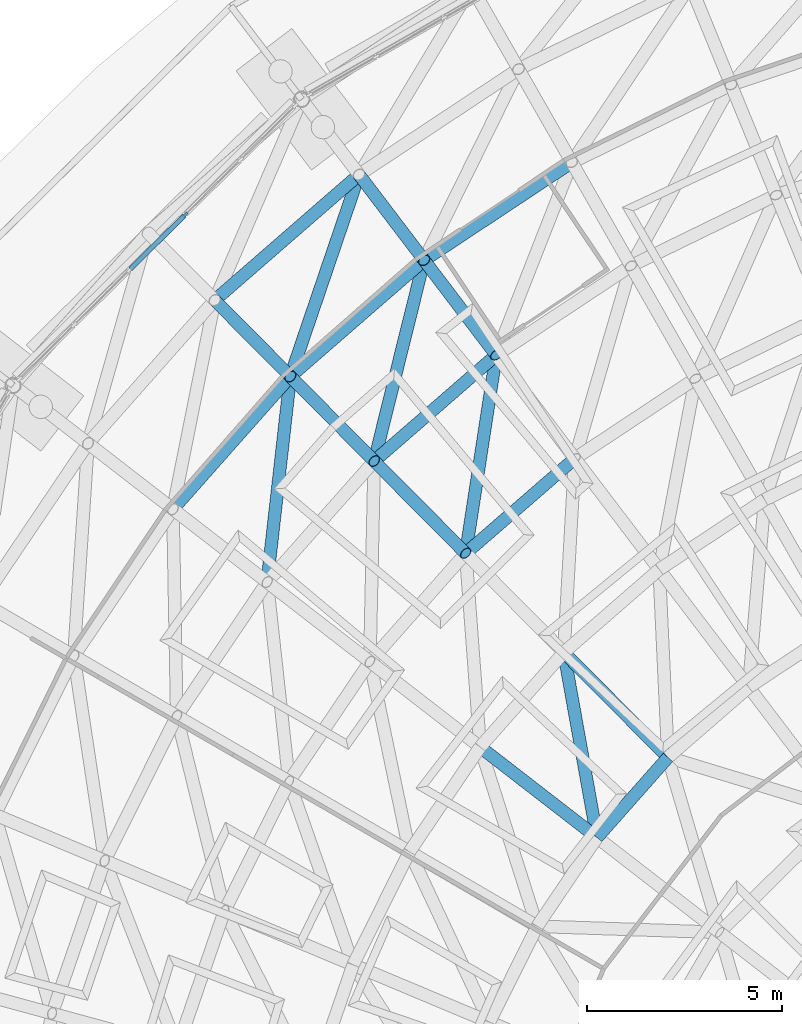
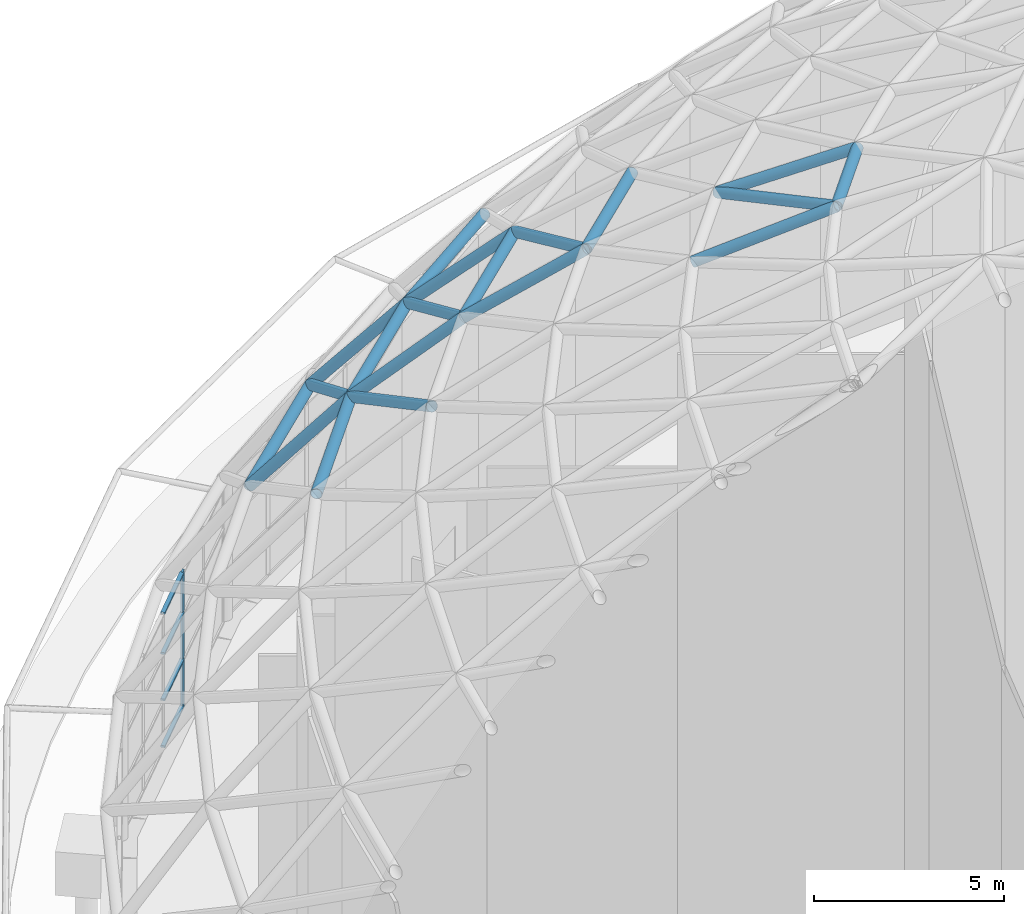
# One storey, part 87 of 226: 24 members, 1 element without a shape of its own.
"""IFC4 building model written with IfcOpenShell, lengths in metres."""

import ifcopenshell
import ifcopenshell.guid

model = None  # the IFC model being written
_history = None  # IfcOwnerHistory: only IFC2X3 demands one
_inside = {}  # id of a spatial element -> (the spatial element, [elements in it])
_under = {}  # id of a project, library or spatial element -> (it, [spatial elements below it])
_declared = {}  # id of a project -> (the project, [libraries it declares])
_typed = {}  # id of a type object -> (the type object, [elements of that type])
_made_of = {}  # id of a material, layer set ... -> (it, [elements and type objects made of it])


def new_model(schema):
    """Start an empty IFC model of exactly this schema.

    Asked for "IFC4X3", IfcOpenShell would pick the latest addendum, in which some entities
    have other attributes; the version numbers below select the first issue.
    IFC2X3 requires an IfcOwnerHistory on every rooted entity: one is made here for all.
    """
    global model, _history
    if schema == "IFC4X3":
        model = ifcopenshell.file(schema_version=(4, 3, 0, 0))
    else:
        model = ifcopenshell.file(schema=schema)
    _inside.clear()
    _under.clear()
    _declared.clear()
    _typed.clear()
    _made_of.clear()
    _history = None
    if model.schema == "IFC2X3":
        org = make("IfcOrganization", Name="unknown")
        user = make(
            "IfcPersonAndOrganization",
            ThePerson=make("IfcPerson", FamilyName="unknown"),
            TheOrganization=org,
        )
        app = make(
            "IfcApplication",
            ApplicationDeveloper=org,
            Version="unknown",
            ApplicationFullName="unknown",
            ApplicationIdentifier="unknown",
        )
        _history = make(
            "IfcOwnerHistory",
            OwningUser=user,
            OwningApplication=app,
            ChangeAction="ADDED",
            CreationDate=0,
        )
    return model


def make(cls, **values):
    """One entity of the class cls with the attributes given. An attribute that is None is left unset."""
    return model.create_entity(
        cls, **{name: value for name, value in values.items() if value is not None}
    )


def rooted(cls, **values):
    """An entity with a GlobalId (a new one), such as an element, a storey or a relation."""
    return make(cls, GlobalId=ifcopenshell.guid.new(), OwnerHistory=_history, **values)


def si_unit(unit_type, name, prefix=None):
    """IfcSIUnit, for example si_unit("LENGTHUNIT", "METRE", prefix="MILLI")."""
    return make("IfcSIUnit", UnitType=unit_type, Prefix=prefix, Name=name)


def assignment(units):
    """IfcUnitAssignment: the units of a project."""
    return None if units is None else make("IfcUnitAssignment", Units=units)


def point(xyz):
    """IfcCartesianPoint."""
    return None if xyz is None else make("IfcCartesianPoint", Coordinates=xyz)


def direction(xyz):
    """IfcDirection."""
    return None if xyz is None else make("IfcDirection", DirectionRatios=xyz)


def frame(location, z_axis=None, x_axis=None):
    """IfcAxis2Placement3D, a coordinate frame: its origin and axes. An axis left out is left unset."""
    return make(
        "IfcAxis2Placement3D",
        Location=point(location),
        Axis=direction(z_axis),
        RefDirection=direction(x_axis),
    )


def frame_2d(location, x_axis=None):
    """IfcAxis2Placement2D, a coordinate frame in the plane: its origin and x axis."""
    return make(
        "IfcAxis2Placement2D", Location=point(location), RefDirection=direction(x_axis)
    )


def origin():
    """The frame at (0, 0, 0) with its axes left unset."""
    return frame((0.0, 0.0, 0.0))


def origin_2d():
    """The frame at (0, 0) in the plane with its x axis left unset."""
    return frame_2d((0.0, 0.0))


def place(relative_to, where):
    """IfcLocalPlacement: puts the frame where relative to a parent placement (None: the world)."""
    return make(
        "IfcLocalPlacement", PlacementRelTo=relative_to, RelativePlacement=where
    )


def context(
    kind, dimensions, precision=None, world=None, true_north=None, identifier=None
):
    """IfcGeometricRepresentationContext, for example the 3D "Model" context."""
    return make(
        "IfcGeometricRepresentationContext",
        ContextIdentifier=identifier,
        ContextType=kind,
        CoordinateSpaceDimension=dimensions,
        Precision=precision,
        WorldCoordinateSystem=world,
        TrueNorth=true_north,
    )


def subcontext(parent, identifier, kind, view, scale=None):
    """IfcGeometricRepresentationSubContext, for example "Body" below "Model"."""
    return make(
        "IfcGeometricRepresentationSubContext",
        ContextIdentifier=identifier,
        ContextType=kind,
        ParentContext=parent,
        TargetScale=scale,
        TargetView=view,
    )


def project(units=None, contexts=None):
    """IfcProject with its units and contexts."""
    return rooted(
        "IfcProject",
        Name="project",
        RepresentationContexts=contexts,
        UnitsInContext=assignment(units),
    )


def spatial(cls, under=None, at=None, **own):
    """A site, building, storey or space (cls), placed at a placement, below another one or the project."""
    s = rooted(cls, ObjectPlacement=at, **own)
    if under is not None:
        _under.setdefault(under.id(), (under, []))[1].append(s)
    return s


def profile(cls, at=None, kind="AREA", **sizes):
    """A parametric profile (cls). Its sizes go by their IFC names, for example OverallWidth=200.0."""
    return make(cls, ProfileType=kind, Position=at, **sizes)


def rectangle(**sizes):
    """IfcRectangleProfileDef."""
    return profile("IfcRectangleProfileDef", **sizes)


def hollow_circle(**sizes):
    """IfcCircleHollowProfileDef."""
    return profile("IfcCircleHollowProfileDef", **sizes)


def extrude(swept, where, along, depth):
    """IfcExtrudedAreaSolid: the profile swept, set in the frame where, extruded along a direction by depth."""
    return make(
        "IfcExtrudedAreaSolid",
        SweptArea=swept,
        Position=where,
        ExtrudedDirection=direction(along),
        Depth=depth,
    )


def shape(context_of_items, identifier, shape_type, items):
    """IfcShapeRepresentation: the items that make up one representation, for example the "Body"."""
    return make(
        "IfcShapeRepresentation",
        ContextOfItems=context_of_items,
        RepresentationIdentifier=identifier,
        RepresentationType=shape_type,
        Items=items,
    )


def material(Name=None, Category=None):
    """IfcMaterial."""
    return make("IfcMaterial", Name=Name, Category=Category)


def material_profile(
    of_material, cross_section, Name=None, Category=None, Priority=None
):
    """IfcMaterialProfile: a cross section and its material."""
    return make(
        "IfcMaterialProfile",
        Name=Name,
        Material=of_material,
        Profile=cross_section,
        Priority=Priority,
        Category=Category,
    )


def profile_set(profiles, Name=None, composite=None):
    """IfcMaterialProfileSet."""
    return make(
        "IfcMaterialProfileSet",
        Name=Name,
        MaterialProfiles=profiles,
        CompositeProfile=composite,
    )


def made_of(thing, what):
    """Note that an element or type object is made of a material, layer set ...; save() writes the relation."""
    if what is not None:
        _made_of.setdefault(what.id(), (what, []))[1].append(thing)
    return thing


def type_object(cls, material=None, **own):
    """A type object (cls), such as IfcWallType, which elements share."""
    return made_of(rooted(cls, **own), material)


def element(
    cls,
    number,
    at=None,
    inside=None,
    cuts=None,
    type_object=None,
    material=None,
    context=None,
    identifier="Body",
    shape_type=None,
    held_by="IfcProductDefinitionShape",
    body=None,
    shapes=None,
    **own,
):
    """One element of the class cls, such as IfcWall. Its Tag is "e" and its number.

    at: its placement. inside: the storey or other place that contains it. cuts: it is an
    opening in that element (IfcRelVoidsElement). A single representation is given by context,
    identifier, shape_type and body (its items); several are given by shapes. held_by: the class
    of the entity that holds the representations. save() writes the other relations.
    """
    e = rooted(cls, Tag="e%d" % number, ObjectPlacement=at, **own)
    if body is not None:
        shapes = [shape(context, identifier, shape_type, body)]
    if shapes is not None:
        e.Representation = make(held_by, Representations=shapes)
    if inside is not None:
        _inside.setdefault(inside.id(), (inside, []))[1].append(e)
    if cuts is not None:
        rooted(
            "IfcRelVoidsElement", RelatingBuildingElement=cuts, RelatedOpeningElement=e
        )
    if type_object is not None:
        _typed.setdefault(type_object.id(), (type_object, []))[1].append(e)
    return made_of(e, material)


def aggregate(whole, parts):
    """IfcRelAggregates: a whole, such as a stair, and the parts it consists of."""
    return rooted("IfcRelAggregates", RelatingObject=whole, RelatedObjects=parts)


def save(model, path):
    """Write the relations noted so far, then the file.

    IfcRelAggregates (storeys below a building ...), IfcRelContainedInSpatialStructure (elements
    in a storey), IfcRelDefinesByType, IfcRelAssociatesMaterial and IfcRelDeclares: one each for
    every whole, place, type object, material and project.
    """
    for whole, parts in _under.values():
        aggregate(whole, parts)
    for where, things in _inside.values():
        rooted(
            "IfcRelContainedInSpatialStructure",
            RelatedElements=things,
            RelatingStructure=where,
        )
    for kind, things in _typed.values():
        rooted("IfcRelDefinesByType", RelatedObjects=things, RelatingType=kind)
    for what, things in _made_of.values():
        rooted("IfcRelAssociatesMaterial", RelatedObjects=things, RelatingMaterial=what)
    for by, libraries in _declared.values():
        rooted("IfcRelDeclares", RelatingContext=by, RelatedDefinitions=libraries)
    model.write(path)


model = new_model("IFC4")

# Units and contexts
model_context = context("Model", 3, precision=1e-05, world=origin(), true_north=direction((0.0, 1.0)))
body_context = subcontext(model_context, "Body", "Model", "MODEL_VIEW")
ifc_project = project(units=[si_unit("LENGTHUNIT", "METRE"), si_unit("AREAUNIT", "SQUARE_METRE"), si_unit("VOLUMEUNIT", "CUBIC_METRE"), si_unit("PLANEANGLEUNIT", "RADIAN"), si_unit("MASSUNIT", "GRAM", prefix="KILO")], contexts=[model_context])

# Site, building, storey
site_placement = place(None, origin())
site = spatial("IfcSite", under=ifc_project, at=site_placement, CompositionType="ELEMENT")
building_placement = place(site_placement, origin())
building = spatial("IfcBuilding", under=site, at=building_placement, Name="Ceibo Conservatory and Research Tower", CompositionType="ELEMENT")
storey_placement = place(building_placement, origin())
storey = spatial("IfcBuildingStorey", under=building, at=storey_placement, Name="L00", CompositionType="ELEMENT", Elevation=0.0)

# Members
ifc_material_1 = material(Name="Steel ASTM A500 Gr C", Category="steel")
ifc_material_profile_1 = material_profile(ifc_material_1, hollow_circle(Radius=0.161865234375, WallThickness=0.01025390625, at=origin_2d()), Name="CHS 323.9x10.31")
ifc_profile_set_1 = profile_set([ifc_material_profile_1], Name="Steel ASTM A500 Gr C")
member_type_1 = type_object("IfcMemberType", Name="CHS 323.9x10.31", PredefinedType="NOTDEFINED", material=ifc_profile_set_1)
member_1_placement = place(storey_placement, frame((133.261962890625, 137.902099609375, 8.115966796875), z_axis=(-0.754629054277, -0.656151652014, 0.0), x_axis=(0.656151652014, -0.754629054277, 0.0)))
element("IfcMember", 1, at=member_1_placement, inside=storey, type_object=member_type_1, Name="Gridshell member A-C02-17", PredefinedType="CHORD", context=body_context, shape_type="SweptSolid", body=[
    extrude(hollow_circle(Radius=0.161865234375, WallThickness=0.01025390625, at=origin_2d()), origin(), (0.0, 0.0, 1.0), 4.91357421875),
])
member_2_placement = place(storey_placement, frame((138.72900390625, 138.218017578125, 11.489013671875), z_axis=(-0.833836370896, -0.552011690612, 0.0), x_axis=(0.552011690612, -0.833836370896, 0.0)))
element("IfcMember", 2, at=member_2_placement, inside=storey, type_object=member_type_1, Name="Gridshell member A-C03-16", PredefinedType="CHORD", context=body_context, shape_type="SweptSolid", body=[
    extrude(hollow_circle(Radius=0.161865234375, WallThickness=0.01025390625, at=origin_2d()), origin(), (0.0, 0.0, 1.0), 4.55224609375),
])
for number, where, z_axis, x_axis, name in (
    (3, (134.93310546875, 135.705078125, 11.489013671875), (-0.754692097632, -0.65607913987, 0.0), (0.65607913987, -0.754692097632, 0.0), "Gridshell member A-C03-17"),
    (4, (131.4970703125, 132.718017578125, 11.489013671875), (-0.662651395846, -0.748927985579, 0.0), (0.748927985579, -0.662651395846, 0.0), "Gridshell member A-C03-18"),
):
    element("IfcMember", number, at=place(storey_placement, frame(where, z_axis=z_axis, x_axis=x_axis)), inside=storey, type_object=member_type_1, Name=name, PredefinedType="CHORD", context=body_context, shape_type="SweptSolid", body=[
        extrude(hollow_circle(Radius=0.161865234375, WallThickness=0.01025390625, at=origin_2d()), origin(), (0.0, 0.0, 1.0), 4.552978515625),
    ])
member_3_placement = place(storey_placement, frame((136.785888671875, 133.26708984375, 14.591064453125), z_axis=(-0.754714371106, -0.656053517669, 0.0), x_axis=(0.656053517669, -0.754714371106, 0.0)))
element("IfcMember", 5, at=member_3_placement, inside=storey, type_object=member_type_1, Name="Gridshell member A-C04-17", PredefinedType="CHORD", context=body_context, shape_type="SweptSolid", body=[
    extrude(hollow_circle(Radius=0.161865234375, WallThickness=0.01025390625, at=origin_2d()), origin(), (0.0, 0.0, 1.0), 4.15234375),
])
member_4_placement = place(storey_placement, frame((138.52490234375, 125.6279296875, 19.8759765625), z_axis=(0.613670996992, -0.618935674707, 0.490231106751), x_axis=(0.71012048006, 0.704080182791, 0.0)))
element("IfcMember", 6, at=member_4_placement, inside=storey, type_object=member_type_1, Name="Gridshell member A-M18-06", PredefinedType="RAFTER", context=body_context, shape_type="SweptSolid", body=[
    extrude(hollow_circle(Radius=0.161865234375, WallThickness=0.01025390625, at=origin_2d()), origin(), (0.0, 0.0, 1.0), 4.359130859375),
])
member_5_placement = place(storey_placement, frame((136.3740234375, 123.196044921875, 19.8759765625), z_axis=(0.689143302775, -0.533604376262, 0.490252871358), x_axis=(0.61222633234, 0.790682564617, 0.0)))
element("IfcMember", 7, at=member_5_placement, inside=storey, type_object=member_type_1, Name="Gridshell member A-M19-06", PredefinedType="RAFTER", context=body_context, shape_type="SweptSolid", body=[
    extrude(hollow_circle(Radius=0.161865234375, WallThickness=0.01025390625, at=origin_2d()), origin(), (0.0, 0.0, 1.0), 4.35888671875),
])
ifc_material_profile_2 = material_profile(ifc_material_1, hollow_circle(Radius=0.161865234375, WallThickness=0.01416015625, at=origin_2d()), Name="CHS 323.9x14.27")
ifc_profile_set_2 = profile_set([ifc_material_profile_2], Name="Steel ASTM A500 Gr C")
member_type_2 = type_object("IfcMemberType", Name="CHS 323.9x14.27", PredefinedType="NOTDEFINED", material=ifc_profile_set_2)
member_6_placement = place(storey_placement, frame((133.261962890625, 137.902099609375, 8.115966796875), z_axis=(0.383416004443, -0.504070215337, 0.773889776097), x_axis=(0.795916707168, 0.605406140745, 0.0)))
element("IfcMember", 8, at=member_6_placement, inside=storey, type_object=member_type_2, Name="Gridshell member A-M17-02", PredefinedType="RAFTER", context=body_context, shape_type="SweptSolid", body=[
    extrude(hollow_circle(Radius=0.161865234375, WallThickness=0.01416015625, at=origin_2d()), origin(), (0.0, 0.0, 1.0), 4.358642578125),
])
member_7_placement = place(storey_placement, frame((129.553955078125, 134.677978515625, 8.115966796875), z_axis=(0.445844698987, -0.449709918767, 0.773940238874), x_axis=(0.710152044536, 0.704048346097, 0.0)))
element("IfcMember", 9, at=member_7_placement, inside=storey, type_object=member_type_2, Name="Gridshell member A-M18-02", PredefinedType="RAFTER", context=body_context, shape_type="SweptSolid", body=[
    extrude(hollow_circle(Radius=0.161865234375, WallThickness=0.01416015625, at=origin_2d()), origin(), (0.0, 0.0, 1.0), 4.3583984375),
])
member_8_placement = place(storey_placement, frame((134.93310546875, 135.705078125, 11.489013671875), z_axis=(0.425065319755, -0.559323004753, 0.71167215085), x_axis=(0.796176021194, 0.605065073587, 0.0)))
element("IfcMember", 10, at=member_8_placement, inside=storey, type_object=member_type_2, Name="Gridshell member A-M17-03", PredefinedType="RAFTER", context=body_context, shape_type="SweptSolid", body=[
    extrude(hollow_circle(Radius=0.161865234375, WallThickness=0.01416015625, at=origin_2d()), origin(), (0.0, 0.0, 1.0), 4.35888671875),
])
member_9_placement = place(storey_placement, frame((131.4970703125, 132.718017578125, 11.489013671875), z_axis=(0.494427453921, -0.499020526451, 0.711702189817), x_axis=(0.710368401664, 0.703830046188, 0.0)))
element("IfcMember", 11, at=member_9_placement, inside=storey, type_object=member_type_2, Name="Gridshell member A-M18-03", PredefinedType="RAFTER", context=body_context, shape_type="SweptSolid", body=[
    extrude(hollow_circle(Radius=0.161865234375, WallThickness=0.01416015625, at=origin_2d()), origin(), (0.0, 0.0, 1.0), 4.358642578125),
])
member_10_placement = place(storey_placement, frame((133.652099609375, 130.54296875, 14.591064453125), z_axis=(0.539089483325, -0.543682245677, 0.643266775688), x_axis=(0.710099708158, 0.704101132277, 0.0)))
element("IfcMember", 12, at=member_10_placement, inside=storey, type_object=member_type_2, Name="Gridshell member A-M18-04", PredefinedType="RAFTER", context=body_context, shape_type="SweptSolid", body=[
    extrude(hollow_circle(Radius=0.161865234375, WallThickness=0.01416015625, at=origin_2d()), origin(), (0.0, 0.0, 1.0), 4.35888671875),
])
ifc_material_profile_3 = material_profile(ifc_material_1, hollow_circle(Radius=0.161865234375, WallThickness=0.00634765625, at=origin_2d()), Name="CHS 323.9x6.35")
ifc_profile_set_3 = profile_set([ifc_material_profile_3], Name="Steel ASTM A500 Gr C")
member_type_3 = type_object("IfcMemberType", Name="CHS 323.9x6.35", PredefinedType="NOTDEFINED", material=ifc_profile_set_3)
member_11_placement = place(storey_placement, frame((138.52490234375, 125.6279296875, 19.8759765625), z_axis=(0.16140588074, -0.900251231785, 0.404346214687), x_axis=(0.984304968411, 0.176475859997, 0.0)))
element("IfcMember", 13, at=member_11_placement, inside=storey, type_object=member_type_3, Name="Gridshell diagonal member A-D06-18", PredefinedType="BRACE", context=body_context, shape_type="SweptSolid", body=[
    extrude(hollow_circle(Radius=0.161865234375, WallThickness=0.00634765625, at=origin_2d()), origin(), (0.0, 0.0, 1.0), 5.284912109375),
])
ifc_material_profile_4 = material_profile(ifc_material_1, hollow_circle(Radius=0.161865234375, WallThickness=0.00830078125, at=origin_2d()), Name="CHS 323.9x8.38")
ifc_profile_set_4 = profile_set([ifc_material_profile_4], Name="Steel ASTM A500 Gr C")
member_type_4 = type_object("IfcMemberType", Name="CHS 323.9x8.38", PredefinedType="NOTDEFINED", material=ifc_profile_set_4)
member_12_placement = place(storey_placement, frame((138.806884765625, 130.610107421875, 17.39501953125), z_axis=(-0.754879873564, -0.655863077545, 0.0), x_axis=(0.655863077545, -0.754879873564, 0.0)))
element("IfcMember", 14, at=member_12_placement, inside=storey, type_object=member_type_4, Name="Gridshell member A-C05-17", PredefinedType="CHORD", context=body_context, shape_type="SweptSolid", body=[
    extrude(hollow_circle(Radius=0.161865234375, WallThickness=0.00830078125, at=origin_2d()), origin(), (0.0, 0.0, 1.0), 3.7158203125),
])
member_13_placement = place(storey_placement, frame((141.199951171875, 122.929931640625, 22.012939453125), z_axis=(-0.662548979838, -0.749018590767, 0.0), x_axis=(0.749018590767, -0.662548979838, 0.0)))
element("IfcMember", 15, at=member_13_placement, inside=storey, type_object=member_type_4, Name="Gridshell member A-C07-18", PredefinedType="CHORD", context=body_context, shape_type="SweptSolid", body=[
    extrude(hollow_circle(Radius=0.161865234375, WallThickness=0.00830078125, at=origin_2d()), origin(), (0.0, 0.0, 1.0), 2.75),
])
member_14_placement = place(storey_placement, frame((133.261962890625, 137.902099609375, 8.115966796875), z_axis=(-0.274404529937, -0.806018230556, 0.524439477883), x_axis=(0.946644407824, -0.322279948392, 0.0)))
element("IfcMember", 16, at=member_14_placement, inside=storey, type_object=member_type_4, Name="Gridshell diagonal member A-D02-17", PredefinedType="BRACE", context=body_context, shape_type="SweptSolid", body=[
    extrude(hollow_circle(Radius=0.161865234375, WallThickness=0.00830078125, at=origin_2d()), origin(), (0.0, 0.0, 1.0), 6.431640625),
])
member_15_placement = place(storey_placement, frame((134.93310546875, 135.705078125, 11.489013671875), z_axis=(-0.208050184441, -0.838386335016, 0.503808965792), x_axis=(0.970562259884, -0.24085036784, 0.0)))
element("IfcMember", 17, at=member_15_placement, inside=storey, type_object=member_type_4, Name="Gridshell diagonal member A-D03-17", PredefinedType="BRACE", context=body_context, shape_type="SweptSolid", body=[
    extrude(hollow_circle(Radius=0.161865234375, WallThickness=0.00830078125, at=origin_2d()), origin(), (0.0, 0.0, 1.0), 6.1572265625),
])
member_16_placement = place(storey_placement, frame((131.4970703125, 132.718017578125, 11.489013671875), z_axis=(-0.09684490436, -0.858318699865, 0.503894903686), x_axis=(0.993694729652, -0.112119508839, 0.0)))
element("IfcMember", 18, at=member_16_placement, inside=storey, type_object=member_type_4, Name="Gridshell diagonal member A-D03-18", PredefinedType="BRACE", context=body_context, shape_type="SweptSolid", body=[
    extrude(hollow_circle(Radius=0.161865234375, WallThickness=0.00830078125, at=origin_2d()), origin(), (0.0, 0.0, 1.0), 6.15625),
])
member_17_placement = place(storey_placement, frame((136.785888671875, 133.26708984375, 14.591064453125), z_axis=(-0.13361039832, -0.868197122688, 0.477893311961), x_axis=(0.988364577452, -0.152103458337, 0.0)))
element("IfcMember", 19, at=member_17_placement, inside=storey, type_object=member_type_4, Name="Gridshell diagonal member A-D04-17", PredefinedType="BRACE", context=body_context, shape_type="SweptSolid", body=[
    extrude(hollow_circle(Radius=0.161865234375, WallThickness=0.00830078125, at=origin_2d()), origin(), (0.0, 0.0, 1.0), 5.867431640625),
])

# Curtain wall, members
ifc_material_2 = material(Name="Aluminium and glass", Category="aluminium")
curtain_wall_type = type_object("IfcCurtainWallType", Name="Drum curtain wall", PredefinedType="NOTDEFINED", material=ifc_material_2)
curtain_wall_placement = place(storey_placement, origin())
curtain_wall = element("IfcCurtainWall", 20, at=curtain_wall_placement, inside=storey, type_object=curtain_wall_type, Name="Drum curtain wall A-CW09", PredefinedType="NOTDEFINED")
ifc_material_3 = material(Name="Aluminium", Category="aluminium")
ifc_material_profile_5 = material_profile(ifc_material_3, rectangle(XDim=0.06005859375, YDim=0.159912109375, at=origin_2d()), Name="AL 60x160")
ifc_profile_set_5 = profile_set([ifc_material_profile_5], Name="Aluminium")
member_type_5 = type_object("IfcMemberType", Name="Drum mullion 60x160", PredefinedType="MULLION", material=ifc_profile_set_5)
member_18_placement = place(storey_placement, frame((128.79296875, 136.870849609375, 0.0), z_axis=(0.0, 0.0, 1.0), x_axis=(0.704014749779, -0.71018535052, 0.0)))
member_18 = element("IfcMember", 21, at=member_18_placement, type_object=member_type_5, Name="A-CW09 mullion 3", PredefinedType="MULLION", context=body_context, shape_type="SweptSolid", body=[
    extrude(rectangle(XDim=0.06005859375, YDim=0.159912109375, at=origin_2d()), origin(), (0.0, 0.0, 1.0), 4.338134765625),
])
ifc_material_profile_6 = material_profile(ifc_material_3, rectangle(XDim=0.1201171875, YDim=0.06005859375, at=origin_2d()), Name="AL 60x120")
ifc_profile_set_6 = profile_set([ifc_material_profile_6], Name="Aluminium")
member_type_6 = type_object("IfcMemberType", Name="Drum transom 60x120", PredefinedType="USERDEFINED", material=ifc_profile_set_6)
member_19_placement = place(storey_placement, frame((128.771728515625, 136.849853515625, 0.030029296875), z_axis=(-0.710172003657, -0.704028213371, 0.0), x_axis=(0.704028213371, -0.710172003657, 0.0)))
member_19 = element("IfcMember", 22, at=member_19_placement, type_object=member_type_6, Name="A-CW09 transom 3.1", ObjectType="TRANSOM", PredefinedType="USERDEFINED", context=body_context, shape_type="SweptSolid", body=[
    extrude(rectangle(XDim=0.1201171875, YDim=0.06005859375, at=origin_2d()), origin(), (0.0, 0.0, 1.0), 1.947265625),
])
member_20_placement = place(storey_placement, frame((128.771728515625, 136.849853515625, 1.530029296875), z_axis=(-0.710172003657, -0.704028213371, 0.0), x_axis=(0.704028213371, -0.710172003657, 0.0)))
member_20 = element("IfcMember", 23, at=member_20_placement, type_object=member_type_6, Name="A-CW09 transom 3.2", ObjectType="TRANSOM", PredefinedType="USERDEFINED", context=body_context, shape_type="SweptSolid", body=[
    extrude(rectangle(XDim=0.1201171875, YDim=0.06005859375, at=origin_2d()), origin(), (0.0, 0.0, 1.0), 1.947265625),
])
member_21_placement = place(storey_placement, frame((128.771728515625, 136.849853515625, 3.014892578125), z_axis=(-0.710172003657, -0.704028213371, 0.0), x_axis=(0.704028213371, -0.710172003657, 0.0)))
member_21 = element("IfcMember", 24, at=member_21_placement, type_object=member_type_6, Name="A-CW09 transom 3.3", ObjectType="TRANSOM", PredefinedType="USERDEFINED", context=body_context, shape_type="SweptSolid", body=[
    extrude(rectangle(XDim=0.1201171875, YDim=0.06005859375, at=origin_2d()), origin(), (0.0, 0.0, 1.0), 1.947265625),
])
member_22_placement = place(storey_placement, frame((128.771728515625, 136.849853515625, 4.30810546875), z_axis=(-0.710172003657, -0.704028213371, 0.0), x_axis=(0.704028213371, -0.710172003657, 0.0)))
member_22 = element("IfcMember", 25, at=member_22_placement, type_object=member_type_6, Name="A-CW09 transom 3.4", ObjectType="TRANSOM", PredefinedType="USERDEFINED", context=body_context, shape_type="SweptSolid", body=[
    extrude(rectangle(XDim=0.1201171875, YDim=0.06005859375, at=origin_2d()), origin(), (0.0, 0.0, 1.0), 1.947265625),
])
aggregate(curtain_wall, [member_18, member_19, member_20, member_21, member_22])

save(model, "model.ifc")
